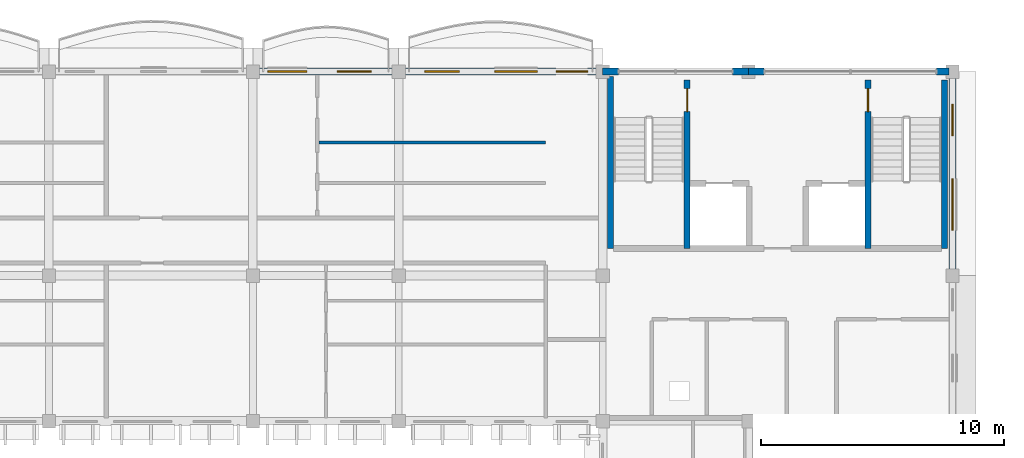
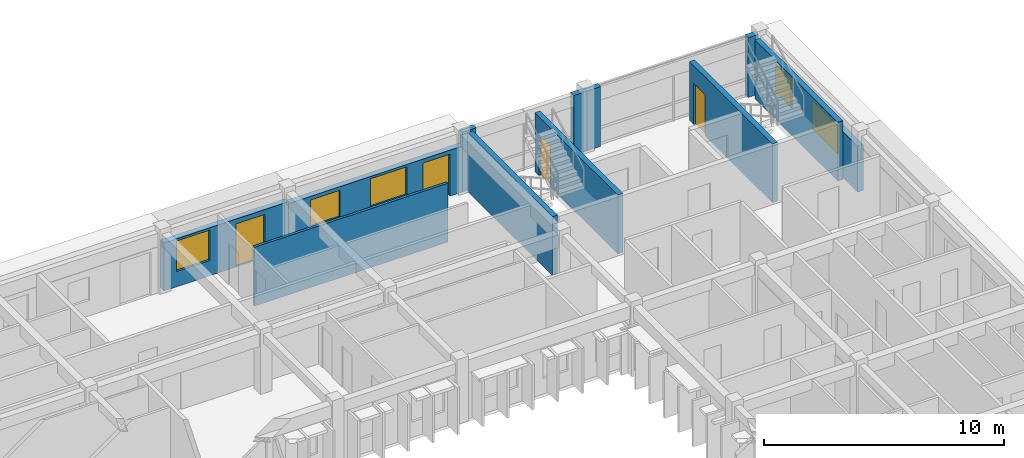
# One storey, part 34 of 59: 12 walls, 5 windows, 4 doors, 9 openings.
"""IFC4 building model written with IfcOpenShell, lengths in metres."""

from ifc_helpers import new_model, si_unit, direction, frame, frame_2d, origin, place, context, subcontext, project, spatial, rectangle, extrude, material, layer, layer_set, type_object, element, fill, save


model = new_model("IFC4")

# Units and contexts
model_context = context("Model", 3, precision=1e-05, world=origin(), true_north=direction((0.0, 1.0)))
body_context = subcontext(model_context, "Body", "Model", "MODEL_VIEW")
ifc_project = project(units=[si_unit("LENGTHUNIT", "METRE"), si_unit("AREAUNIT", "SQUARE_METRE"), si_unit("VOLUMEUNIT", "CUBIC_METRE"), si_unit("PLANEANGLEUNIT", "RADIAN"), si_unit("MASSUNIT", "GRAM", prefix="KILO"), si_unit("THERMODYNAMICTEMPERATUREUNIT", "KELVIN")], contexts=[model_context])

# Site, building, storey
site_placement = place(None, origin())
site = spatial("IfcSite", under=ifc_project, at=site_placement, CompositionType="ELEMENT")
building_placement = place(site_placement, origin())
building = spatial("IfcBuilding", under=site, at=building_placement, Name="Thalorik Housing Commons", CompositionType="ELEMENT")
storey_placement = place(building_placement, frame((0.0, 0.0, 27.89990234375)))
storey = spatial("IfcBuildingStorey", under=building, at=storey_placement, Name="L08", CompositionType="ELEMENT", Elevation=27.89990234375)

# Wall, opening, door
ifc_material_1 = material(Name="Concrete C40/50", Category="concrete")
ifc_layer_1 = layer(ifc_material_1, 0.25, Name="Concrete C40/50", Category="concrete")
ifc_layer_set_1 = layer_set([ifc_layer_1], Name="Concrete C40/50")
wall_type_1 = type_object("IfcWallType", Name="ARC-WAL-CORE-250", PredefinedType="SHEAR", material=ifc_layer_set_1)
wall_1_placement = place(storey_placement, frame((155.875, 123.25, 0.0), z_axis=(0.0, 0.0, 1.0), x_axis=(0.0, -1.0, 0.0)))
wall_1 = element("IfcWall", 1, at=wall_1_placement, inside=storey, type_object=wall_type_1, Name="L08 Core B Stair 1 Shear Wall", PredefinedType="SHEAR", context=body_context, shape_type="SweptSolid", body=[
    extrude(rectangle(XDim=6.925048828125, YDim=0.25, at=frame_2d((3.46240234375, 0.0))), origin(), (0.0, 0.0, 1.0), 3.0),
])
opening_1_placement = place(wall_1_placement, frame((0.35009765625, 0.0, 0.0)))
opening_1 = element("IfcOpeningElement", 2, at=opening_1_placement, cuts=wall_1, Name="Opening ID-0209", PredefinedType="OPENING", context=body_context, shape_type="SweptSolid", body=[
    extrude(rectangle(XDim=0.949951171875, YDim=2.10009765625, at=frame_2d((0.47509765625, 1.050048828125))), frame((0.0, 0.135009765625, 0.0), z_axis=(0.0, -1.0, 0.0), x_axis=(1.0, 0.0, 0.0)), (0.0, 0.0, 1.0), 0.27001953125),
])
ifc_material_2 = material(Name="Steel S355", Category="steel")
door_type_1 = type_object("IfcDoorType", Name="ARC-DR-FD60-950", OperationType="NOTDEFINED", PredefinedType="DOOR", material=ifc_material_2)
door_1_placement = place(opening_1_placement, origin())
door_1 = element("IfcDoor", 3, at=door_1_placement, inside=storey, type_object=door_type_1, Name="L08 Stair ST-B1 Fire Door", OperationType="SINGLE_SWING_RIGHT", OverallHeight=2.10009765625, OverallWidth=0.949951171875, PredefinedType="DOOR", context=body_context, shape_type="SweptSolid", body=[
    extrude(rectangle(XDim=0.949951171875, YDim=2.10009765625, at=frame_2d((0.47509765625, 1.050048828125))), frame((0.0, 0.02490234375, 0.0), z_axis=(0.0, -1.0, 0.0), x_axis=(1.0, 0.0, 0.0)), (0.0, 0.0, 1.0), 0.050048828125),
])
fill(opening_1, door_1)

# Walls
wall_2_placement = place(storey_placement, frame((152.72509765625, 123.39990234375, 0.0), z_axis=(0.0, 0.0, 1.0), x_axis=(0.0, -1.0, 0.0)))
element("IfcWall", 4, at=wall_2_placement, inside=storey, type_object=wall_type_1, Name="L08 Core B Stair 1 Outer Shear Wall", PredefinedType="SHEAR", context=body_context, shape_type="SweptSolid", body=[
    extrude(rectangle(XDim=7.074951171875, YDim=0.25, at=frame_2d((3.53759765625, 0.0))), origin(), (0.0, 0.0, 1.0), 3.0),
])
wall_3_placement = place(storey_placement, frame((166.47509765625, 123.25, 0.0), z_axis=(0.0, 0.0, 1.0), x_axis=(0.0, -1.0, 0.0)))
element("IfcWall", 5, at=wall_3_placement, inside=storey, type_object=wall_type_1, Name="L08 Core B Stair 2 Outer Shear Wall", PredefinedType="SHEAR", context=body_context, shape_type="SweptSolid", body=[
    extrude(rectangle(XDim=6.925048828125, YDim=0.25, at=frame_2d((3.46240234375, 0.0))), origin(), (0.0, 0.0, 1.0), 3.0),
])

# Wall, opening, door
wall_4_placement = place(storey_placement, frame((163.324951171875, 123.25, 0.0), z_axis=(0.0, 0.0, 1.0), x_axis=(0.0, -1.0, 0.0)))
wall_4 = element("IfcWall", 6, at=wall_4_placement, inside=storey, type_object=wall_type_1, Name="L08 Core B Stair 2 Shear Wall", PredefinedType="SHEAR", context=body_context, shape_type="SweptSolid", body=[
    extrude(rectangle(XDim=6.925048828125, YDim=0.25, at=frame_2d((3.46240234375, 0.0))), origin(), (0.0, 0.0, 1.0), 3.0),
])
opening_2_placement = place(wall_4_placement, frame((0.35009765625, 0.0, 0.0)))
opening_2 = element("IfcOpeningElement", 7, at=opening_2_placement, cuts=wall_4, Name="Opening ID-0210", PredefinedType="OPENING", context=body_context, shape_type="SweptSolid", body=[
    extrude(rectangle(XDim=0.949951171875, YDim=2.10009765625, at=frame_2d((0.47509765625, 1.050048828125))), frame((0.0, 0.135009765625, 0.0), z_axis=(0.0, -1.0, 0.0), x_axis=(1.0, 0.0, 0.0)), (0.0, 0.0, 1.0), 0.27001953125),
])
door_2_placement = place(opening_2_placement, origin())
door_2 = element("IfcDoor", 8, at=door_2_placement, inside=storey, type_object=door_type_1, Name="L08 Stair ST-B2 Fire Door", OperationType="SINGLE_SWING_LEFT", OverallHeight=2.10009765625, OverallWidth=0.949951171875, PredefinedType="DOOR", context=body_context, shape_type="SweptSolid", body=[
    extrude(rectangle(XDim=0.949951171875, YDim=2.10009765625, at=frame_2d((0.47509765625, 1.050048828125))), frame((0.0, 0.02490234375, 0.0), z_axis=(0.0, -1.0, 0.0), x_axis=(1.0, 0.0, 0.0)), (0.0, 0.0, 1.0), 0.050048828125),
])
fill(opening_2, door_2)

# Wall, openings, windows
ifc_material_3 = material(Name="White precast concrete C40/50", Category="concrete")
ifc_layer_2 = layer(ifc_material_3, 0.27490234375, Name="White precast concrete C40/50", Category="concrete")
ifc_layer_set_2 = layer_set([ifc_layer_2], Name="White precast concrete C40/50")
wall_type_2 = type_object("IfcWallType", Name="ARC-WAL-EXT-275", PredefinedType="STANDARD", material=ifc_layer_set_2)
wall_5_placement = place(storey_placement, frame((166.800048828125, 115.199951171875, 0.0), z_axis=(0.0, 0.0, 1.0), x_axis=(0.0, 1.0, 0.0)))
wall_5 = element("IfcWall", 9, at=wall_5_placement, inside=storey, type_object=wall_type_2, Name="L08 Exterior Wall WAL-EXT-L08-B-0672", PredefinedType="STANDARD", context=body_context, shape_type="SweptSolid", body=[
    extrude(rectangle(XDim=8.400146484375, YDim=0.27490234375, at=frame_2d((4.2001953125, 0.0))), origin(), (0.0, 0.0, 1.0), 2.34521484375),
])
opening_3_placement = place(wall_5_placement, frame((1.871337890625, 0.0, 0.780029296875)))
opening_3 = element("IfcOpeningElement", 10, at=opening_3_placement, cuts=wall_5, Name="Opening W-64", PredefinedType="OPENING", context=body_context, shape_type="SweptSolid", body=[
    extrude(rectangle(XDim=2.1201171875, YDim=1.43994140625, at=frame_2d((1.06005859375, 0.719970703125))), frame((0.0, 0.1474609375, 0.0), z_axis=(0.0, -1.0, 0.0), x_axis=(1.0, 0.0, 0.0)), (0.0, 0.0, 1.0), 0.294921875),
])
opening_4_placement = place(wall_5_placement, frame((5.75390625, 0.0, 0.780029296875)))
opening_4 = element("IfcOpeningElement", 11, at=opening_4_placement, cuts=wall_5, Name="Opening W-06", PredefinedType="OPENING", context=body_context, shape_type="SweptSolid", body=[
    extrude(rectangle(XDim=1.300048828125, YDim=1.39990234375, at=frame_2d((0.64990234375, 0.699951171875))), frame((0.0, 0.1474609375, 0.0), z_axis=(0.0, -1.0, 0.0), x_axis=(1.0, 0.0, 0.0)), (0.0, 0.0, 1.0), 0.294921875),
])
ifc_material_4 = material(Name="Anodised aluminium and solar-control low-E glass", Category="aluminium")
window_type_1 = type_object("IfcWindowType", Name="ARC-WIN-06", PartitioningType="SINGLE_PANEL", PredefinedType="WINDOW", material=ifc_material_4)
window_1_placement = place(opening_4_placement, origin())
window_1 = element("IfcWindow", 12, at=window_1_placement, inside=storey, type_object=window_type_1, Name="L08 Facade Window 1232", OverallHeight=1.39990234375, OverallWidth=1.300048828125, PartitioningType="SINGLE_PANEL", PredefinedType="WINDOW", context=body_context, shape_type="SweptSolid", body=[
    extrude(rectangle(XDim=1.300048828125, YDim=1.39990234375, at=frame_2d((0.64990234375, 0.699951171875))), frame((0.0, 0.030029296875, 0.0), z_axis=(0.0, -1.0, 0.0), x_axis=(1.0, 0.0, 0.0)), (0.0, 0.0, 1.0), 0.06005859375),
])
fill(opening_4, window_1)
window_type_2 = type_object("IfcWindowType", Name="ARC-WIN-64", PartitioningType="DOUBLE_PANEL_VERTICAL", PredefinedType="WINDOW", material=ifc_material_4)
window_2_placement = place(opening_3_placement, origin())
window_2 = element("IfcWindow", 13, at=window_2_placement, inside=storey, type_object=window_type_2, Name="L08 Facade Window 1231", OverallHeight=1.43994140625, OverallWidth=2.1201171875, PartitioningType="DOUBLE_PANEL_VERTICAL", PredefinedType="WINDOW", context=body_context, shape_type="SweptSolid", body=[
    extrude(rectangle(XDim=2.1201171875, YDim=1.43994140625, at=frame_2d((1.06005859375, 0.719970703125))), frame((0.0, 0.030029296875, 0.0), z_axis=(0.0, -1.0, 0.0), x_axis=(1.0, 0.0, 0.0)), (0.0, 0.0, 1.0), 0.06005859375),
])
fill(opening_3, window_2)

# Walls
wall_6_placement = place(storey_placement, frame((166.660400390625, 123.60009765625, 0.0), z_axis=(0.0, 0.0, 1.0), x_axis=(-1.0, 0.0, 0.0)))
element("IfcWall", 14, at=wall_6_placement, inside=storey, type_object=wall_type_2, Name="L08 Exterior Wall WAL-PIERL-L08-B-0673", PredefinedType="STANDARD", context=body_context, shape_type="SweptSolid", body=[
    extrude(rectangle(XDim=0.510498046875, YDim=0.27490234375, at=frame_2d((0.25537109375, 0.0))), origin(), (0.0, 0.0, 1.0), 3.0400390625),
])
wall_7_placement = place(storey_placement, frame((159.050048828125, 123.60009765625, 0.0), z_axis=(0.0, 0.0, 1.0), x_axis=(-1.0, 0.0, 0.0)))
element("IfcWall", 15, at=wall_7_placement, inside=storey, type_object=wall_type_2, Name="L08 Exterior Wall WAL-PIERR-L08-B-0673", PredefinedType="STANDARD", context=body_context, shape_type="SweptSolid", body=[
    extrude(rectangle(XDim=0.650146484375, YDim=0.27490234375, at=frame_2d((0.3251953125, 0.0))), origin(), (0.0, 0.0, 1.0), 3.0400390625),
])
wall_8_placement = place(storey_placement, frame((158.39990234375, 123.60009765625, 0.0), z_axis=(0.0, 0.0, 1.0), x_axis=(-1.0, 0.0, 0.0)))
element("IfcWall", 16, at=wall_8_placement, inside=storey, type_object=wall_type_2, Name="L08 Exterior Wall WAL-PIERL-L08-B-0674", PredefinedType="STANDARD", context=body_context, shape_type="SweptSolid", body=[
    extrude(rectangle(XDim=0.64990234375, YDim=0.27490234375, at=frame_2d((0.324951171875, 0.0))), origin(), (0.0, 0.0, 1.0), 3.0400390625),
])
wall_9_placement = place(storey_placement, frame((153.050048828125, 123.60009765625, 0.0), z_axis=(0.0, 0.0, 1.0), x_axis=(-1.0, 0.0, 0.0)))
element("IfcWall", 17, at=wall_9_placement, inside=storey, type_object=wall_type_2, Name="L08 Exterior Wall WAL-PIERR-L08-B-0674", PredefinedType="STANDARD", context=body_context, shape_type="SweptSolid", body=[
    extrude(rectangle(XDim=0.650146484375, YDim=0.27490234375, at=frame_2d((0.3251953125, 0.0))), origin(), (0.0, 0.0, 1.0), 3.0400390625),
])

# Wall, openings, door, windows
wall_10_placement = place(storey_placement, frame((152.39990234375, 123.60009765625, 0.0), z_axis=(0.0, 0.0, 1.0), x_axis=(-1.0, 0.0, 0.0)))
wall_10 = element("IfcWall", 18, at=wall_10_placement, inside=storey, type_object=wall_type_2, Name="L08 Exterior Wall WAL-EXT-L08-B-0675", PredefinedType="STANDARD", context=body_context, shape_type="SweptSolid", body=[
    extrude(rectangle(XDim=8.39990234375, YDim=0.27490234375, at=frame_2d((4.199951171875, 0.0))), origin(), (0.0, 0.0, 1.0), 2.34521484375),
])
opening_5_placement = place(wall_10_placement, frame((0.6201171875, 0.0, 0.0)))
opening_5 = element("IfcOpeningElement", 19, at=opening_5_placement, cuts=wall_10, Name="Opening ED-0222", PredefinedType="OPENING", context=body_context, shape_type="SweptSolid", body=[
    extrude(rectangle(XDim=1.300048828125, YDim=2.14990234375, at=frame_2d((0.64990234375, 1.074951171875))), frame((0.0, 0.1474609375, 0.0), z_axis=(0.0, -1.0, 0.0), x_axis=(1.0, 0.0, 0.0)), (0.0, 0.0, 1.0), 0.294921875),
])
opening_6_placement = place(wall_10_placement, frame((2.68994140625, 0.0, 0.780029296875)))
opening_6 = element("IfcOpeningElement", 20, at=opening_6_placement, cuts=wall_10, Name="Opening W-17", PredefinedType="OPENING", context=body_context, shape_type="SweptSolid", body=[
    extrude(rectangle(XDim=1.75, YDim=1.449951171875, at=frame_2d((0.875, 0.72509765625))), frame((0.0, 0.1474609375, 0.0), z_axis=(0.0, -1.0, 0.0), x_axis=(1.0, 0.0, 0.0)), (0.0, 0.0, 1.0), 0.294921875),
])
opening_7_placement = place(wall_10_placement, frame((5.905029296875, 0.0, 0.780029296875)))
opening_7 = element("IfcOpeningElement", 21, at=opening_7_placement, cuts=wall_10, Name="Opening W-50", PredefinedType="OPENING", context=body_context, shape_type="SweptSolid", body=[
    extrude(rectangle(XDim=1.419921875, YDim=1.3798828125, at=frame_2d((0.7099609375, 0.68994140625))), frame((0.0, 0.1474609375, 0.0), z_axis=(0.0, -1.0, 0.0), x_axis=(1.0, 0.0, 0.0)), (0.0, 0.0, 1.0), 0.294921875),
])
ifc_material_5 = material(Name="Anodised aluminium and laminated safety glass", Category="aluminium")
door_type_2 = type_object("IfcDoorType", Name="ARC-DR-BAL-1300", OperationType="NOTDEFINED", PredefinedType="DOOR", material=ifc_material_5)
door_3_placement = place(opening_5_placement, frame((1.300048828125, 0.0, 0.0), z_axis=(0.0, 0.0, 1.0), x_axis=(-1.0, 0.0, 0.0)))
door_3 = element("IfcDoor", 22, at=door_3_placement, inside=storey, type_object=door_type_2, Name="L08 Block B Balcony Glazed Door", OperationType="SINGLE_SWING_LEFT", OverallHeight=2.14990234375, OverallWidth=1.300048828125, PredefinedType="DOOR", context=body_context, shape_type="SweptSolid", body=[
    extrude(rectangle(XDim=1.300048828125, YDim=2.14990234375, at=frame_2d((0.64990234375, 1.074951171875))), frame((0.0, 0.02490234375, 0.0), z_axis=(0.0, -1.0, 0.0), x_axis=(1.0, 0.0, 0.0)), (0.0, 0.0, 1.0), 0.050048828125),
])
fill(opening_5, door_3)
window_type_3 = type_object("IfcWindowType", Name="ARC-WIN-17", PartitioningType="DOUBLE_PANEL_VERTICAL", PredefinedType="WINDOW", material=ifc_material_4)
window_3_placement = place(opening_6_placement, origin())
window_3 = element("IfcWindow", 23, at=window_3_placement, inside=storey, type_object=window_type_3, Name="L08 Facade Window 1233", OverallHeight=1.449951171875, OverallWidth=1.75, PartitioningType="DOUBLE_PANEL_VERTICAL", PredefinedType="WINDOW", context=body_context, shape_type="SweptSolid", body=[
    extrude(rectangle(XDim=1.75, YDim=1.449951171875, at=frame_2d((0.875, 0.72509765625))), frame((0.0, 0.030029296875, 0.0), z_axis=(0.0, -1.0, 0.0), x_axis=(1.0, 0.0, 0.0)), (0.0, 0.0, 1.0), 0.06005859375),
])
fill(opening_6, window_3)
window_type_4 = type_object("IfcWindowType", Name="ARC-WIN-50", PartitioningType="SINGLE_PANEL", PredefinedType="WINDOW", material=ifc_material_4)
window_4_placement = place(opening_7_placement, origin())
window_4 = element("IfcWindow", 24, at=window_4_placement, inside=storey, type_object=window_type_4, Name="L08 Facade Window 1234", OverallHeight=1.3798828125, OverallWidth=1.419921875, PartitioningType="SINGLE_PANEL", PredefinedType="WINDOW", context=body_context, shape_type="SweptSolid", body=[
    extrude(rectangle(XDim=1.419921875, YDim=1.3798828125, at=frame_2d((0.7099609375, 0.68994140625))), frame((0.0, 0.030029296875, 0.0), z_axis=(0.0, -1.0, 0.0), x_axis=(1.0, 0.0, 0.0)), (0.0, 0.0, 1.0), 0.06005859375),
])
fill(opening_7, window_4)

# Wall, openings, door, window
wall_11_placement = place(storey_placement, frame((144.0, 123.60009765625, 0.0), z_axis=(0.0, 0.0, 1.0), x_axis=(-1.0, 0.0, 0.0)))
wall_11 = element("IfcWall", 25, at=wall_11_placement, inside=storey, type_object=wall_type_2, Name="L08 Exterior Wall WAL-EXT-L08-B-0676", PredefinedType="STANDARD", context=body_context, shape_type="SweptSolid", body=[
    extrude(rectangle(XDim=6.0, YDim=0.27490234375, at=frame_2d((3.0, 0.0))), origin(), (0.0, 0.0, 1.0), 2.445068359375),
])
opening_8_placement = place(wall_11_placement, frame((1.123291015625, 0.0, 0.0)))
opening_8 = element("IfcOpeningElement", 26, at=opening_8_placement, cuts=wall_11, Name="Opening ED-0223", PredefinedType="OPENING", context=body_context, shape_type="SweptSolid", body=[
    extrude(rectangle(XDim=1.39990234375, YDim=2.199951171875, at=frame_2d((0.699951171875, 1.10009765625))), frame((0.0, 0.1474609375, 0.0), z_axis=(0.0, -1.0, 0.0), x_axis=(1.0, 0.0, 0.0)), (0.0, 0.0, 1.0), 0.294921875),
])
opening_9_placement = place(wall_11_placement, frame((3.783447265625, 0.0, 0.780029296875)))
opening_9 = element("IfcOpeningElement", 27, at=opening_9_placement, cuts=wall_11, Name="Opening W-13", PredefinedType="OPENING", context=body_context, shape_type="SweptSolid", body=[
    extrude(rectangle(XDim=1.60009765625, YDim=1.550048828125, at=frame_2d((0.800048828125, 0.77490234375))), frame((0.0, 0.1474609375, 0.0), z_axis=(0.0, -1.0, 0.0), x_axis=(1.0, 0.0, 0.0)), (0.0, 0.0, 1.0), 0.294921875),
])
door_type_3 = type_object("IfcDoorType", Name="ARC-DR-BAL-1400", OperationType="NOTDEFINED", PredefinedType="DOOR", material=ifc_material_5)
door_4_placement = place(opening_8_placement, frame((1.39990234375, 0.0, 0.0), z_axis=(0.0, 0.0, 1.0), x_axis=(-1.0, 0.0, 0.0)))
door_4 = element("IfcDoor", 28, at=door_4_placement, inside=storey, type_object=door_type_3, Name="L08 Block B Balcony Glazed Door", OperationType="SLIDING_TO_LEFT", OverallHeight=2.199951171875, OverallWidth=1.39990234375, PredefinedType="DOOR", context=body_context, shape_type="SweptSolid", body=[
    extrude(rectangle(XDim=1.39990234375, YDim=2.199951171875, at=frame_2d((0.699951171875, 1.10009765625))), frame((0.0, 0.02490234375, 0.0), z_axis=(0.0, -1.0, 0.0), x_axis=(1.0, 0.0, 0.0)), (0.0, 0.0, 1.0), 0.050048828125),
])
fill(opening_8, door_4)
window_type_5 = type_object("IfcWindowType", Name="ARC-WIN-13", PartitioningType="DOUBLE_PANEL_VERTICAL", PredefinedType="WINDOW", material=ifc_material_4)
window_5_placement = place(opening_9_placement, origin())
window_5 = element("IfcWindow", 29, at=window_5_placement, inside=storey, type_object=window_type_5, Name="L08 Facade Window 1235", OverallHeight=1.550048828125, OverallWidth=1.60009765625, PartitioningType="DOUBLE_PANEL_VERTICAL", PredefinedType="WINDOW", context=body_context, shape_type="SweptSolid", body=[
    extrude(rectangle(XDim=1.60009765625, YDim=1.550048828125, at=frame_2d((0.800048828125, 0.77490234375))), frame((0.0, 0.030029296875, 0.0), z_axis=(0.0, -1.0, 0.0), x_axis=(1.0, 0.0, 0.0)), (0.0, 0.0, 1.0), 0.06005859375),
])
fill(opening_9, window_5)

# Wall
ifc_material_6 = material(Name="Gypsum acoustic stud partition", Category="masonry")
ifc_layer_3 = layer(ifc_material_6, 0.125, Name="Gypsum acoustic stud partition", Category="masonry")
ifc_layer_set_3 = layer_set([ifc_layer_3], Name="Gypsum acoustic stud partition")
wall_type_3 = type_object("IfcWallType", Name="ARC-WAL-PART-125", PredefinedType="PARTITIONING", material=ifc_layer_set_3)
wall_12_placement = place(storey_placement, frame((140.715087890625, 120.67919921875, 0.0), z_axis=(0.0, 0.0, 1.0), x_axis=(1.0, 0.0, 0.0)))
element("IfcWall", 30, at=wall_12_placement, inside=storey, type_object=wall_type_3, Name="L08 Unit 3B Bedroom Partition", PredefinedType="PARTITIONING", context=body_context, shape_type="SweptSolid", body=[
    extrude(rectangle(XDim=9.3349609375, YDim=0.125, at=frame_2d((4.66748046875, 0.0))), origin(), (0.0, 0.0, 1.0), 3.0),
])

save(model, "model.ifc")
